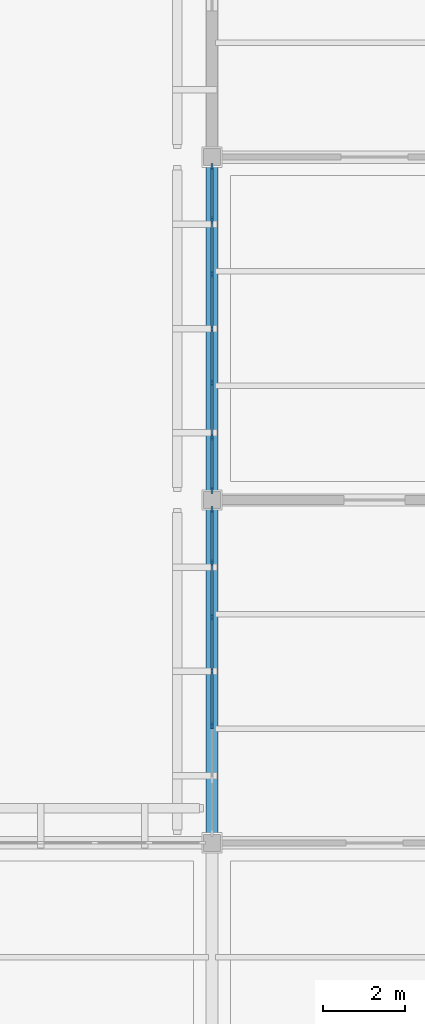
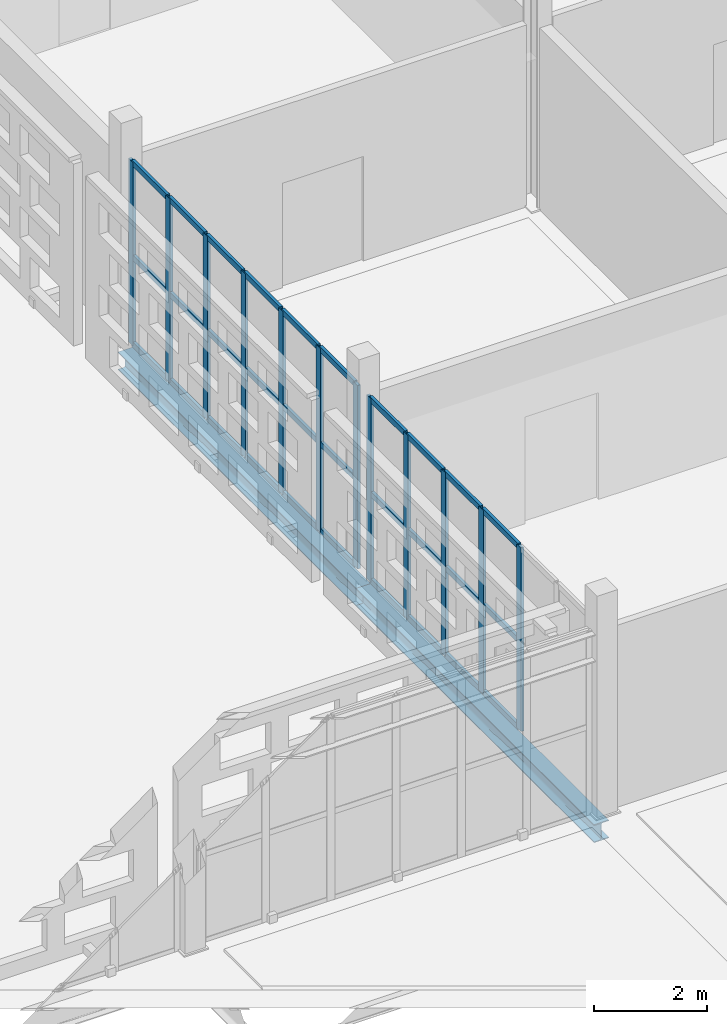
# One storey, part 62 of 203: 42 members, 2 beams, 2 elements without a shape of their own.
"""IFC4 building model written with IfcOpenShell, lengths in metres."""

from ifc_helpers import new_model, si_unit, direction, frame, origin, origin_2d, place, context, subcontext, project, spatial, rectangle, i_section, extrude, material, layer, layer_set, material_profile, profile_set, type_object, element, aggregate, save


model = new_model("IFC4")

# Units and contexts
model_context = context("Model", 3, precision=1e-05, world=origin(), true_north=direction((0.0, 1.0)))
body_context = subcontext(model_context, "Body", "Model", "MODEL_VIEW")
ifc_project = project(units=[si_unit("LENGTHUNIT", "METRE"), si_unit("AREAUNIT", "SQUARE_METRE"), si_unit("VOLUMEUNIT", "CUBIC_METRE"), si_unit("PLANEANGLEUNIT", "RADIAN"), si_unit("MASSUNIT", "GRAM", prefix="KILO")], contexts=[model_context])

# Site, building, storey
site_placement = place(None, origin())
site = spatial("IfcSite", under=ifc_project, at=site_placement, CompositionType="ELEMENT")
building_placement = place(site_placement, origin())
building = spatial("IfcBuilding", under=site, at=building_placement, Name="Varnapada Polytechnic", CompositionType="ELEMENT")
storey_placement = place(building_placement, frame((0.0, 0.0, 4.800048828125)))
storey = spatial("IfcBuildingStorey", under=building, at=storey_placement, Name="L01", CompositionType="ELEMENT", Elevation=4.800048828125)

# Curtain wall, members
ifc_material_1 = material(Name="Double low-E laminated glass", Category="glass")
ifc_layer = layer(ifc_material_1, 0.159912109375)
ifc_layer_set = layer_set([ifc_layer], Name="Double low-E laminated glass")
curtain_wall_type = type_object("IfcCurtainWallType", Name="Curtain Wall CW-02", PredefinedType="NOTDEFINED", material=ifc_layer_set)
curtain_wall_1_placement = place(storey_placement, origin())
curtain_wall_1 = element("IfcCurtainWall", 1, at=curtain_wall_1_placement, inside=storey, type_object=curtain_wall_type, Name="L01 unitised curtain wall CW-02 (97)", PredefinedType="NOTDEFINED")
ifc_material_2 = material(Name="Anodised aluminium", Category="aluminium")
ifc_material_profile_1 = material_profile(ifc_material_2, rectangle(XDim=0.06005859375, YDim=0.159912109375, at=origin_2d()), Name="ALU M60x160")
ifc_profile_set_1 = profile_set([ifc_material_profile_1], Name="Anodised aluminium")
member_type_1 = type_object("IfcMemberType", Name="Mullion M-01", PredefinedType="MULLION", material=ifc_profile_set_1)
member_1_placement = place(storey_placement, frame((126.0, 95.27001953125, 0.0), z_axis=(0.0, 0.0, 1.0), x_axis=(-1.0, 0.0, 0.0)))
member_1 = element("IfcMember", 2, at=member_1_placement, type_object=member_type_1, Name="CW-02 mullion 3", PredefinedType="MULLION", context=body_context, shape_type="SweptSolid", body=[
    extrude(rectangle(XDim=0.06005859375, YDim=0.159912109375, at=origin_2d()), origin(), (0.0, 0.0, 1.0), 3.9599609375),
])
member_2_placement = place(storey_placement, frame((126.0, 96.60009765625, 0.0), z_axis=(0.0, 0.0, 1.0), x_axis=(-1.0, 0.0, 0.0)))
member_2 = element("IfcMember", 3, at=member_2_placement, type_object=member_type_1, Name="CW-02 mullion 4", PredefinedType="MULLION", context=body_context, shape_type="SweptSolid", body=[
    extrude(rectangle(XDim=0.06005859375, YDim=0.159912109375, at=origin_2d()), origin(), (0.0, 0.0, 1.0), 3.9599609375),
])
member_3_placement = place(storey_placement, frame((126.0, 97.929931640625, 0.0), z_axis=(0.0, 0.0, 1.0), x_axis=(-1.0, 0.0, 0.0)))
member_3 = element("IfcMember", 4, at=member_3_placement, type_object=member_type_1, Name="CW-02 mullion 5", PredefinedType="MULLION", context=body_context, shape_type="SweptSolid", body=[
    extrude(rectangle(XDim=0.06005859375, YDim=0.159912109375, at=origin_2d()), origin(), (0.0, 0.0, 1.0), 3.9599609375),
])
member_4_placement = place(storey_placement, frame((126.0, 99.260009765625, 0.0), z_axis=(0.0, 0.0, 1.0), x_axis=(-1.0, 0.0, 0.0)))
member_4 = element("IfcMember", 5, at=member_4_placement, type_object=member_type_1, Name="CW-02 mullion 6", PredefinedType="MULLION", context=body_context, shape_type="SweptSolid", body=[
    extrude(rectangle(XDim=0.06005859375, YDim=0.159912109375, at=origin_2d()), origin(), (0.0, 0.0, 1.0), 3.9599609375),
])
member_5_placement = place(storey_placement, frame((126.0, 100.56005859375, 0.0), z_axis=(0.0, 0.0, 1.0), x_axis=(-1.0, 0.0, 0.0)))
member_5 = element("IfcMember", 6, at=member_5_placement, type_object=member_type_1, Name="CW-02 mullion 7", PredefinedType="MULLION", context=body_context, shape_type="SweptSolid", body=[
    extrude(rectangle(XDim=0.06005859375, YDim=0.159912109375, at=origin_2d()), origin(), (0.0, 0.0, 1.0), 3.9599609375),
])

curtain_wall_2_placement = place(storey_placement, origin())
curtain_wall_2 = element("IfcCurtainWall", 7, at=curtain_wall_2_placement, inside=storey, type_object=curtain_wall_type, Name="L01 unitised curtain wall CW-02 (98)", PredefinedType="NOTDEFINED")
member_6_placement = place(storey_placement, frame((126.0, 101.0400390625, 0.0), z_axis=(0.0, 0.0, 1.0), x_axis=(-1.0, 0.0, 0.0)))
member_6 = element("IfcMember", 8, at=member_6_placement, type_object=member_type_1, Name="CW-02 mullion 1", PredefinedType="MULLION", context=body_context, shape_type="SweptSolid", body=[
    extrude(rectangle(XDim=0.06005859375, YDim=0.159912109375, at=origin_2d()), origin(), (0.0, 0.0, 1.0), 3.9599609375),
])
member_7_placement = place(storey_placement, frame((126.0, 102.340087890625, 0.0), z_axis=(0.0, 0.0, 1.0), x_axis=(-1.0, 0.0, 0.0)))
member_7 = element("IfcMember", 9, at=member_7_placement, type_object=member_type_1, Name="CW-02 mullion 2", PredefinedType="MULLION", context=body_context, shape_type="SweptSolid", body=[
    extrude(rectangle(XDim=0.06005859375, YDim=0.159912109375, at=origin_2d()), origin(), (0.0, 0.0, 1.0), 3.9599609375),
])
member_8_placement = place(storey_placement, frame((126.0, 103.669921875, 0.0), z_axis=(0.0, 0.0, 1.0), x_axis=(-1.0, 0.0, 0.0)))
member_8 = element("IfcMember", 10, at=member_8_placement, type_object=member_type_1, Name="CW-02 mullion 3", PredefinedType="MULLION", context=body_context, shape_type="SweptSolid", body=[
    extrude(rectangle(XDim=0.06005859375, YDim=0.159912109375, at=origin_2d()), origin(), (0.0, 0.0, 1.0), 3.9599609375),
])
member_9_placement = place(storey_placement, frame((126.0, 105.0, 0.0), z_axis=(0.0, 0.0, 1.0), x_axis=(-1.0, 0.0, 0.0)))
member_9 = element("IfcMember", 11, at=member_9_placement, type_object=member_type_1, Name="CW-02 mullion 4", PredefinedType="MULLION", context=body_context, shape_type="SweptSolid", body=[
    extrude(rectangle(XDim=0.06005859375, YDim=0.159912109375, at=origin_2d()), origin(), (0.0, 0.0, 1.0), 3.9599609375),
])
member_10_placement = place(storey_placement, frame((126.0, 106.330078125, 0.0), z_axis=(0.0, 0.0, 1.0), x_axis=(-1.0, 0.0, 0.0)))
member_10 = element("IfcMember", 12, at=member_10_placement, type_object=member_type_1, Name="CW-02 mullion 5", PredefinedType="MULLION", context=body_context, shape_type="SweptSolid", body=[
    extrude(rectangle(XDim=0.06005859375, YDim=0.159912109375, at=origin_2d()), origin(), (0.0, 0.0, 1.0), 3.9599609375),
])
member_11_placement = place(storey_placement, frame((126.0, 107.659912109375, 0.0), z_axis=(0.0, 0.0, 1.0), x_axis=(-1.0, 0.0, 0.0)))
member_11 = element("IfcMember", 13, at=member_11_placement, type_object=member_type_1, Name="CW-02 mullion 6", PredefinedType="MULLION", context=body_context, shape_type="SweptSolid", body=[
    extrude(rectangle(XDim=0.06005859375, YDim=0.159912109375, at=origin_2d()), origin(), (0.0, 0.0, 1.0), 3.9599609375),
])
member_12_placement = place(storey_placement, frame((126.0, 108.9599609375, 0.0), z_axis=(0.0, 0.0, 1.0), x_axis=(-1.0, 0.0, 0.0)))
member_12 = element("IfcMember", 14, at=member_12_placement, type_object=member_type_1, Name="CW-02 mullion 7", PredefinedType="MULLION", context=body_context, shape_type="SweptSolid", body=[
    extrude(rectangle(XDim=0.06005859375, YDim=0.159912109375, at=origin_2d()), origin(), (0.0, 0.0, 1.0), 3.9599609375),
])

# Beams
ifc_material_3 = material(Name="Steel S355", Category="steel")
ifc_material_profile_2 = material_profile(ifc_material_3, i_section(OverallWidth=0.300048828125, OverallDepth=0.389892578125, WebThickness=0.010986328125, FlangeThickness=0.01904296875, FilletRadius=0.027099609375, at=origin_2d()), Name="HEA 400")
ifc_profile_set_2 = profile_set([ifc_material_profile_2], Name="Steel S355")
beam_type = type_object("IfcBeamType", Name="Steel roof primary girder SG-01 (HEA 400)", PredefinedType="BEAM", material=ifc_profile_set_2)
beam_1_placement = place(storey_placement, frame((126.0, 92.39990234375, -0.465087890625), z_axis=(0.0, 1.0, 0.0), x_axis=(-1.0, 0.0, 0.0)))
element("IfcBeam", 15, at=beam_1_placement, inside=storey, type_object=beam_type, Name="L01 beam Y 12-13 at X16", PredefinedType="BEAM", context=body_context, shape_type="SweptSolid", body=[
    extrude(i_section(OverallWidth=0.300048828125, OverallDepth=0.389892578125, WebThickness=0.010986328125, FlangeThickness=0.01904296875, FilletRadius=0.027099609375, at=origin_2d()), origin(), (0.0, 0.0, 1.0), 8.400146484375),
])
beam_2_placement = place(storey_placement, frame((126.0, 100.800048828125, -0.465087890625), z_axis=(0.0, 1.0, 0.0), x_axis=(-1.0, 0.0, 0.0)))
element("IfcBeam", 16, at=beam_2_placement, inside=storey, type_object=beam_type, Name="L01 beam Y 13-14 at X16", PredefinedType="BEAM", context=body_context, shape_type="SweptSolid", body=[
    extrude(i_section(OverallWidth=0.300048828125, OverallDepth=0.389892578125, WebThickness=0.010986328125, FlangeThickness=0.01904296875, FilletRadius=0.027099609375, at=origin_2d()), origin(), (0.0, 0.0, 1.0), 8.39990234375),
])

# Member
ifc_material_profile_3 = material_profile(ifc_material_2, rectangle(XDim=0.06005859375, YDim=0.1201171875, at=origin_2d()), Name="ALU T60x120")
ifc_profile_set_3 = profile_set([ifc_material_profile_3], Name="Anodised aluminium")
member_type_2 = type_object("IfcMemberType", Name="Transom T-01", PredefinedType="USERDEFINED", material=ifc_profile_set_3)
member_13_placement = place(storey_placement, frame((126.0, 95.300048828125, 0.030029296875), z_axis=(0.0, 1.0, 0.0), x_axis=(-1.0, 0.0, 0.0)))
member_13 = element("IfcMember", 17, at=member_13_placement, type_object=member_type_2, Name="CW-02 transom 3.1", ObjectType="TRANSOM", PredefinedType="USERDEFINED", context=body_context, shape_type="SweptSolid", body=[
    extrude(rectangle(XDim=0.06005859375, YDim=0.1201171875, at=origin_2d()), origin(), (0.0, 0.0, 1.0), 1.27001953125),
])

member_14_placement = place(storey_placement, frame((126.0, 95.300048828125, 1.900634765625), z_axis=(0.0, 1.0, 0.0), x_axis=(-1.0, 0.0, 0.0)))
member_14 = element("IfcMember", 18, at=member_14_placement, type_object=member_type_2, Name="CW-02 transom 3.2", ObjectType="TRANSOM", PredefinedType="USERDEFINED", context=body_context, shape_type="SweptSolid", body=[
    extrude(rectangle(XDim=0.06005859375, YDim=0.1201171875, at=origin_2d()), origin(), (0.0, 0.0, 1.0), 1.27001953125),
])

member_15_placement = place(storey_placement, frame((126.0, 95.300048828125, 3.929931640625), z_axis=(0.0, 1.0, 0.0), x_axis=(-1.0, 0.0, 0.0)))
member_15 = element("IfcMember", 19, at=member_15_placement, type_object=member_type_2, Name="CW-02 transom 3.3", ObjectType="TRANSOM", PredefinedType="USERDEFINED", context=body_context, shape_type="SweptSolid", body=[
    extrude(rectangle(XDim=0.06005859375, YDim=0.1201171875, at=origin_2d()), origin(), (0.0, 0.0, 1.0), 1.27001953125),
])

member_16_placement = place(storey_placement, frame((126.0, 96.6298828125, 0.030029296875), z_axis=(0.0, 1.0, 0.0), x_axis=(-1.0, 0.0, 0.0)))
member_16 = element("IfcMember", 20, at=member_16_placement, type_object=member_type_2, Name="CW-02 transom 4.1", ObjectType="TRANSOM", PredefinedType="USERDEFINED", context=body_context, shape_type="SweptSolid", body=[
    extrude(rectangle(XDim=0.06005859375, YDim=0.1201171875, at=origin_2d()), origin(), (0.0, 0.0, 1.0), 1.27001953125),
])

member_17_placement = place(storey_placement, frame((126.0, 96.6298828125, 1.900634765625), z_axis=(0.0, 1.0, 0.0), x_axis=(-1.0, 0.0, 0.0)))
member_17 = element("IfcMember", 21, at=member_17_placement, type_object=member_type_2, Name="CW-02 transom 4.2", ObjectType="TRANSOM", PredefinedType="USERDEFINED", context=body_context, shape_type="SweptSolid", body=[
    extrude(rectangle(XDim=0.06005859375, YDim=0.1201171875, at=origin_2d()), origin(), (0.0, 0.0, 1.0), 1.27001953125),
])

member_18_placement = place(storey_placement, frame((126.0, 96.6298828125, 3.929931640625), z_axis=(0.0, 1.0, 0.0), x_axis=(-1.0, 0.0, 0.0)))
member_18 = element("IfcMember", 22, at=member_18_placement, type_object=member_type_2, Name="CW-02 transom 4.3", ObjectType="TRANSOM", PredefinedType="USERDEFINED", context=body_context, shape_type="SweptSolid", body=[
    extrude(rectangle(XDim=0.06005859375, YDim=0.1201171875, at=origin_2d()), origin(), (0.0, 0.0, 1.0), 1.27001953125),
])

member_19_placement = place(storey_placement, frame((126.0, 97.9599609375, 0.030029296875), z_axis=(0.0, 1.0, 0.0), x_axis=(-1.0, 0.0, 0.0)))
member_19 = element("IfcMember", 23, at=member_19_placement, type_object=member_type_2, Name="CW-02 transom 5.1", ObjectType="TRANSOM", PredefinedType="USERDEFINED", context=body_context, shape_type="SweptSolid", body=[
    extrude(rectangle(XDim=0.06005859375, YDim=0.1201171875, at=origin_2d()), origin(), (0.0, 0.0, 1.0), 1.27001953125),
])

member_20_placement = place(storey_placement, frame((126.0, 97.9599609375, 1.900634765625), z_axis=(0.0, 1.0, 0.0), x_axis=(-1.0, 0.0, 0.0)))
member_20 = element("IfcMember", 24, at=member_20_placement, type_object=member_type_2, Name="CW-02 transom 5.2", ObjectType="TRANSOM", PredefinedType="USERDEFINED", context=body_context, shape_type="SweptSolid", body=[
    extrude(rectangle(XDim=0.06005859375, YDim=0.1201171875, at=origin_2d()), origin(), (0.0, 0.0, 1.0), 1.27001953125),
])

member_21_placement = place(storey_placement, frame((126.0, 97.9599609375, 3.929931640625), z_axis=(0.0, 1.0, 0.0), x_axis=(-1.0, 0.0, 0.0)))
member_21 = element("IfcMember", 25, at=member_21_placement, type_object=member_type_2, Name="CW-02 transom 5.3", ObjectType="TRANSOM", PredefinedType="USERDEFINED", context=body_context, shape_type="SweptSolid", body=[
    extrude(rectangle(XDim=0.06005859375, YDim=0.1201171875, at=origin_2d()), origin(), (0.0, 0.0, 1.0), 1.27001953125),
])

member_22_placement = place(storey_placement, frame((126.0, 99.2900390625, 0.030029296875), z_axis=(0.0, 1.0, 0.0), x_axis=(-1.0, 0.0, 0.0)))
member_22 = element("IfcMember", 26, at=member_22_placement, type_object=member_type_2, Name="CW-02 transom 6.1", ObjectType="TRANSOM", PredefinedType="USERDEFINED", context=body_context, shape_type="SweptSolid", body=[
    extrude(rectangle(XDim=0.06005859375, YDim=0.1201171875, at=origin_2d()), origin(), (0.0, 0.0, 1.0), 1.239990234375),
])

member_23_placement = place(storey_placement, frame((126.0, 99.2900390625, 1.900634765625), z_axis=(0.0, 1.0, 0.0), x_axis=(-1.0, 0.0, 0.0)))
member_23 = element("IfcMember", 27, at=member_23_placement, type_object=member_type_2, Name="CW-02 transom 6.2", ObjectType="TRANSOM", PredefinedType="USERDEFINED", context=body_context, shape_type="SweptSolid", body=[
    extrude(rectangle(XDim=0.06005859375, YDim=0.1201171875, at=origin_2d()), origin(), (0.0, 0.0, 1.0), 1.239990234375),
])

member_24_placement = place(storey_placement, frame((126.0, 99.2900390625, 3.929931640625), z_axis=(0.0, 1.0, 0.0), x_axis=(-1.0, 0.0, 0.0)))
member_24 = element("IfcMember", 28, at=member_24_placement, type_object=member_type_2, Name="CW-02 transom 6.3", ObjectType="TRANSOM", PredefinedType="USERDEFINED", context=body_context, shape_type="SweptSolid", body=[
    extrude(rectangle(XDim=0.06005859375, YDim=0.1201171875, at=origin_2d()), origin(), (0.0, 0.0, 1.0), 1.239990234375),
])

aggregate(curtain_wall_1, [member_1, member_2, member_3, member_4, member_5, member_13, member_14, member_15, member_16, member_17, member_18, member_19, member_20, member_21, member_22, member_23, member_24])

member_25_placement = place(storey_placement, frame((126.0, 101.070068359375, 0.030029296875), z_axis=(0.0, 1.0, 0.0), x_axis=(-1.0, 0.0, 0.0)))
member_25 = element("IfcMember", 29, at=member_25_placement, type_object=member_type_2, Name="CW-02 transom 1.1", ObjectType="TRANSOM", PredefinedType="USERDEFINED", context=body_context, shape_type="SweptSolid", body=[
    extrude(rectangle(XDim=0.06005859375, YDim=0.1201171875, at=origin_2d()), origin(), (0.0, 0.0, 1.0), 1.239990234375),
])

member_26_placement = place(storey_placement, frame((126.0, 101.070068359375, 1.900634765625), z_axis=(0.0, 1.0, 0.0), x_axis=(-1.0, 0.0, 0.0)))
member_26 = element("IfcMember", 30, at=member_26_placement, type_object=member_type_2, Name="CW-02 transom 1.2", ObjectType="TRANSOM", PredefinedType="USERDEFINED", context=body_context, shape_type="SweptSolid", body=[
    extrude(rectangle(XDim=0.06005859375, YDim=0.1201171875, at=origin_2d()), origin(), (0.0, 0.0, 1.0), 1.239990234375),
])

member_27_placement = place(storey_placement, frame((126.0, 101.070068359375, 3.929931640625), z_axis=(0.0, 1.0, 0.0), x_axis=(-1.0, 0.0, 0.0)))
member_27 = element("IfcMember", 31, at=member_27_placement, type_object=member_type_2, Name="CW-02 transom 1.3", ObjectType="TRANSOM", PredefinedType="USERDEFINED", context=body_context, shape_type="SweptSolid", body=[
    extrude(rectangle(XDim=0.06005859375, YDim=0.1201171875, at=origin_2d()), origin(), (0.0, 0.0, 1.0), 1.239990234375),
])

member_28_placement = place(storey_placement, frame((126.0, 102.3701171875, 0.030029296875), z_axis=(0.0, 1.0, 0.0), x_axis=(-1.0, 0.0, 0.0)))
member_28 = element("IfcMember", 32, at=member_28_placement, type_object=member_type_2, Name="CW-02 transom 2.1", ObjectType="TRANSOM", PredefinedType="USERDEFINED", context=body_context, shape_type="SweptSolid", body=[
    extrude(rectangle(XDim=0.06005859375, YDim=0.1201171875, at=origin_2d()), origin(), (0.0, 0.0, 1.0), 1.269775390625),
])

member_29_placement = place(storey_placement, frame((126.0, 102.3701171875, 1.900634765625), z_axis=(0.0, 1.0, 0.0), x_axis=(-1.0, 0.0, 0.0)))
member_29 = element("IfcMember", 33, at=member_29_placement, type_object=member_type_2, Name="CW-02 transom 2.2", ObjectType="TRANSOM", PredefinedType="USERDEFINED", context=body_context, shape_type="SweptSolid", body=[
    extrude(rectangle(XDim=0.06005859375, YDim=0.1201171875, at=origin_2d()), origin(), (0.0, 0.0, 1.0), 1.269775390625),
])

member_30_placement = place(storey_placement, frame((126.0, 102.3701171875, 3.929931640625), z_axis=(0.0, 1.0, 0.0), x_axis=(-1.0, 0.0, 0.0)))
member_30 = element("IfcMember", 34, at=member_30_placement, type_object=member_type_2, Name="CW-02 transom 2.3", ObjectType="TRANSOM", PredefinedType="USERDEFINED", context=body_context, shape_type="SweptSolid", body=[
    extrude(rectangle(XDim=0.06005859375, YDim=0.1201171875, at=origin_2d()), origin(), (0.0, 0.0, 1.0), 1.269775390625),
])

member_31_placement = place(storey_placement, frame((126.0, 103.699951171875, 0.030029296875), z_axis=(0.0, 1.0, 0.0), x_axis=(-1.0, 0.0, 0.0)))
member_31 = element("IfcMember", 35, at=member_31_placement, type_object=member_type_2, Name="CW-02 transom 3.1", ObjectType="TRANSOM", PredefinedType="USERDEFINED", context=body_context, shape_type="SweptSolid", body=[
    extrude(rectangle(XDim=0.06005859375, YDim=0.1201171875, at=origin_2d()), origin(), (0.0, 0.0, 1.0), 1.27001953125),
])

member_32_placement = place(storey_placement, frame((126.0, 103.699951171875, 1.900634765625), z_axis=(0.0, 1.0, 0.0), x_axis=(-1.0, 0.0, 0.0)))
member_32 = element("IfcMember", 36, at=member_32_placement, type_object=member_type_2, Name="CW-02 transom 3.2", ObjectType="TRANSOM", PredefinedType="USERDEFINED", context=body_context, shape_type="SweptSolid", body=[
    extrude(rectangle(XDim=0.06005859375, YDim=0.1201171875, at=origin_2d()), origin(), (0.0, 0.0, 1.0), 1.27001953125),
])

member_33_placement = place(storey_placement, frame((126.0, 103.699951171875, 3.929931640625), z_axis=(0.0, 1.0, 0.0), x_axis=(-1.0, 0.0, 0.0)))
member_33 = element("IfcMember", 37, at=member_33_placement, type_object=member_type_2, Name="CW-02 transom 3.3", ObjectType="TRANSOM", PredefinedType="USERDEFINED", context=body_context, shape_type="SweptSolid", body=[
    extrude(rectangle(XDim=0.06005859375, YDim=0.1201171875, at=origin_2d()), origin(), (0.0, 0.0, 1.0), 1.27001953125),
])

member_34_placement = place(storey_placement, frame((126.0, 105.030029296875, 0.030029296875), z_axis=(0.0, 1.0, 0.0), x_axis=(-1.0, 0.0, 0.0)))
member_34 = element("IfcMember", 38, at=member_34_placement, type_object=member_type_2, Name="CW-02 transom 4.1", ObjectType="TRANSOM", PredefinedType="USERDEFINED", context=body_context, shape_type="SweptSolid", body=[
    extrude(rectangle(XDim=0.06005859375, YDim=0.1201171875, at=origin_2d()), origin(), (0.0, 0.0, 1.0), 1.27001953125),
])

member_35_placement = place(storey_placement, frame((126.0, 105.030029296875, 1.900634765625), z_axis=(0.0, 1.0, 0.0), x_axis=(-1.0, 0.0, 0.0)))
member_35 = element("IfcMember", 39, at=member_35_placement, type_object=member_type_2, Name="CW-02 transom 4.2", ObjectType="TRANSOM", PredefinedType="USERDEFINED", context=body_context, shape_type="SweptSolid", body=[
    extrude(rectangle(XDim=0.06005859375, YDim=0.1201171875, at=origin_2d()), origin(), (0.0, 0.0, 1.0), 1.27001953125),
])

member_36_placement = place(storey_placement, frame((126.0, 105.030029296875, 3.929931640625), z_axis=(0.0, 1.0, 0.0), x_axis=(-1.0, 0.0, 0.0)))
member_36 = element("IfcMember", 40, at=member_36_placement, type_object=member_type_2, Name="CW-02 transom 4.3", ObjectType="TRANSOM", PredefinedType="USERDEFINED", context=body_context, shape_type="SweptSolid", body=[
    extrude(rectangle(XDim=0.06005859375, YDim=0.1201171875, at=origin_2d()), origin(), (0.0, 0.0, 1.0), 1.27001953125),
])

member_37_placement = place(storey_placement, frame((126.0, 106.360107421875, 0.030029296875), z_axis=(0.0, 1.0, 0.0), x_axis=(-1.0, 0.0, 0.0)))
member_37 = element("IfcMember", 41, at=member_37_placement, type_object=member_type_2, Name="CW-02 transom 5.1", ObjectType="TRANSOM", PredefinedType="USERDEFINED", context=body_context, shape_type="SweptSolid", body=[
    extrude(rectangle(XDim=0.06005859375, YDim=0.1201171875, at=origin_2d()), origin(), (0.0, 0.0, 1.0), 1.269775390625),
])

member_38_placement = place(storey_placement, frame((126.0, 106.360107421875, 1.900634765625), z_axis=(0.0, 1.0, 0.0), x_axis=(-1.0, 0.0, 0.0)))
member_38 = element("IfcMember", 42, at=member_38_placement, type_object=member_type_2, Name="CW-02 transom 5.2", ObjectType="TRANSOM", PredefinedType="USERDEFINED", context=body_context, shape_type="SweptSolid", body=[
    extrude(rectangle(XDim=0.06005859375, YDim=0.1201171875, at=origin_2d()), origin(), (0.0, 0.0, 1.0), 1.269775390625),
])

member_39_placement = place(storey_placement, frame((126.0, 106.360107421875, 3.929931640625), z_axis=(0.0, 1.0, 0.0), x_axis=(-1.0, 0.0, 0.0)))
member_39 = element("IfcMember", 43, at=member_39_placement, type_object=member_type_2, Name="CW-02 transom 5.3", ObjectType="TRANSOM", PredefinedType="USERDEFINED", context=body_context, shape_type="SweptSolid", body=[
    extrude(rectangle(XDim=0.06005859375, YDim=0.1201171875, at=origin_2d()), origin(), (0.0, 0.0, 1.0), 1.269775390625),
])

member_40_placement = place(storey_placement, frame((126.0, 107.68994140625, 0.030029296875), z_axis=(0.0, 1.0, 0.0), x_axis=(-1.0, 0.0, 0.0)))
member_40 = element("IfcMember", 44, at=member_40_placement, type_object=member_type_2, Name="CW-02 transom 6.1", ObjectType="TRANSOM", PredefinedType="USERDEFINED", context=body_context, shape_type="SweptSolid", body=[
    extrude(rectangle(XDim=0.06005859375, YDim=0.1201171875, at=origin_2d()), origin(), (0.0, 0.0, 1.0), 1.239990234375),
])

member_41_placement = place(storey_placement, frame((126.0, 107.68994140625, 1.900634765625), z_axis=(0.0, 1.0, 0.0), x_axis=(-1.0, 0.0, 0.0)))
member_41 = element("IfcMember", 45, at=member_41_placement, type_object=member_type_2, Name="CW-02 transom 6.2", ObjectType="TRANSOM", PredefinedType="USERDEFINED", context=body_context, shape_type="SweptSolid", body=[
    extrude(rectangle(XDim=0.06005859375, YDim=0.1201171875, at=origin_2d()), origin(), (0.0, 0.0, 1.0), 1.239990234375),
])

member_42_placement = place(storey_placement, frame((126.0, 107.68994140625, 3.929931640625), z_axis=(0.0, 1.0, 0.0), x_axis=(-1.0, 0.0, 0.0)))
member_42 = element("IfcMember", 46, at=member_42_placement, type_object=member_type_2, Name="CW-02 transom 6.3", ObjectType="TRANSOM", PredefinedType="USERDEFINED", context=body_context, shape_type="SweptSolid", body=[
    extrude(rectangle(XDim=0.06005859375, YDim=0.1201171875, at=origin_2d()), origin(), (0.0, 0.0, 1.0), 1.239990234375),
])

aggregate(curtain_wall_2, [member_6, member_7, member_8, member_9, member_10, member_11, member_12, member_25, member_26, member_27, member_28, member_29, member_30, member_31, member_32, member_33, member_34, member_35, member_36, member_37, member_38, member_39, member_40, member_41, member_42])

save(model, "model.ifc")
